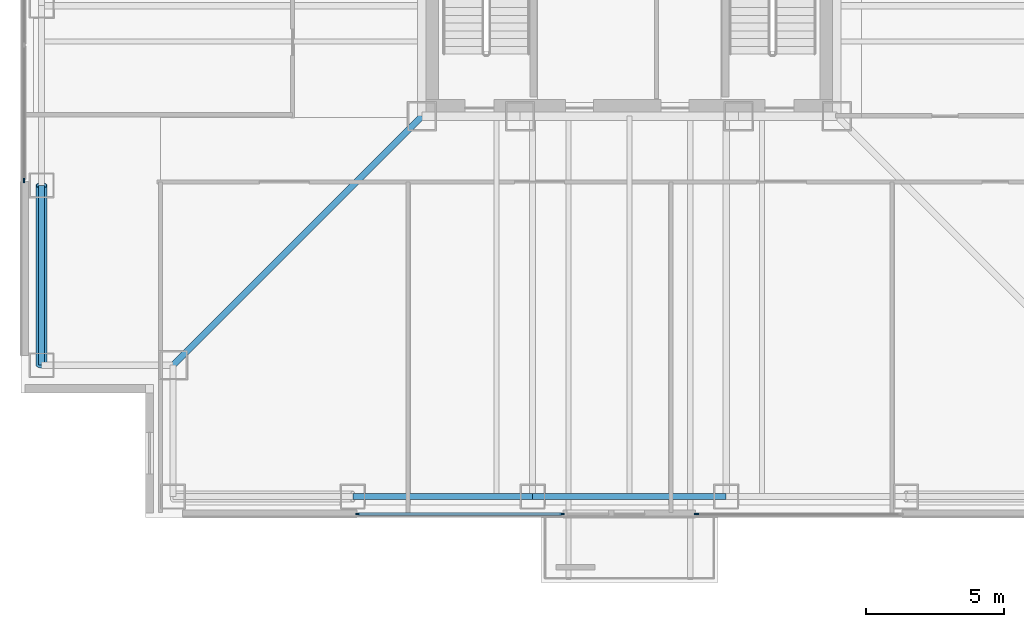
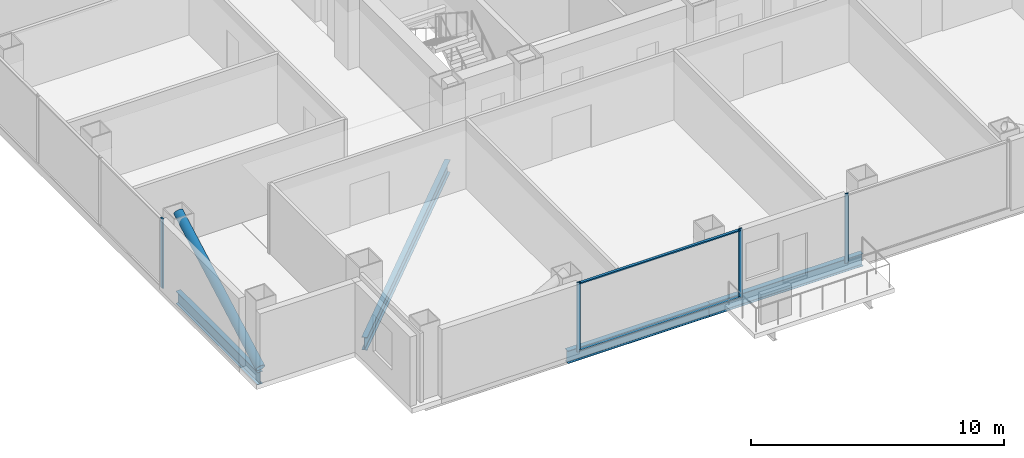
# One storey, part 2 of 14: 7 members, 4 beams, 3 elements without a shape of their own.
"""IFC4 building model written with IfcOpenShell, lengths in metres."""

from ifc_helpers import new_model, si_unit, direction, frame, origin, origin_2d, place, context, subcontext, project, spatial, rectangle, hollow_circle, i_section, extrude, material, layer, layer_set, material_profile, profile_set, type_object, element, aggregate, save


model = new_model("IFC4")

# Units and contexts
model_context = context("Model", 3, precision=1e-05, world=origin(), true_north=direction((0.0, 1.0)))
body_context = subcontext(model_context, "Body", "Model", "MODEL_VIEW")
ifc_project = project(units=[si_unit("LENGTHUNIT", "METRE"), si_unit("AREAUNIT", "SQUARE_METRE"), si_unit("VOLUMEUNIT", "CUBIC_METRE"), si_unit("PLANEANGLEUNIT", "RADIAN"), si_unit("MASSUNIT", "GRAM", prefix="KILO")], contexts=[model_context])

# Site, building, storey
site_placement = place(None, origin())
site = spatial("IfcSite", under=ifc_project, at=site_placement, CompositionType="ELEMENT")
building_placement = place(site_placement, origin())
building = spatial("IfcBuilding", under=site, at=building_placement, Name="Trevonay Congress Spire", CompositionType="ELEMENT")
storey_placement = place(building_placement, frame((0.0, 0.0, 133.60009765625)))
storey = spatial("IfcBuildingStorey", under=building, at=storey_placement, Name="L34", CompositionType="ELEMENT", Elevation=133.60009765625)

# Beams
ifc_material_1 = material(Name="Steel ASTM A572 Grade 50", Category="steel")
ifc_material_profile_1 = material_profile(ifc_material_1, i_section(OverallWidth=0.22998046875, OverallDepth=0.616943359375, WebThickness=0.01318359375, FlangeThickness=0.022216796875, FilletRadius=0.01611328125, at=origin_2d()), Name="W610x140")
ifc_profile_set_1 = profile_set([ifc_material_profile_1], Name="Steel ASTM A572 Grade 50")
beam_type_1 = type_object("IfcBeamType", Name="BM-GIRD-W610X140", PredefinedType="BEAM", material=ifc_profile_set_1)
beam_1_placement = place(storey_placement, frame((-7.5, -7.5, -0.548583984375), z_axis=(-0.707106781187, -0.707106781187, 0.0), x_axis=(0.707106781187, -0.707106781187, 0.0)))
element("IfcBeam", 1, at=beam_1_placement, inside=storey, type_object=beam_type_1, Name="L34 structural beam BM-L34-CDSW", PredefinedType="BEAM", context=body_context, shape_type="SweptSolid", body=[
    extrude(i_section(OverallWidth=0.22998046875, OverallDepth=0.616943359375, WebThickness=0.01318359375, FlangeThickness=0.022216796875, FilletRadius=0.01611328125, at=origin_2d()), origin(), (0.0, 0.0, 1.0), 12.72802734375),
])
ifc_material_profile_2 = material_profile(ifc_material_1, i_section(OverallWidth=0.22802734375, OverallDepth=0.60791015625, WebThickness=0.01123046875, FlangeThickness=0.017333984375, FilletRadius=0.01611328125, at=origin_2d()), Name="W610x113")
ifc_profile_set_2 = profile_set([ifc_material_profile_2], Name="Steel ASTM A572 Grade 50")
beam_type_2 = type_object("IfcBeamType", Name="BM-RING-W610X113", PredefinedType="BEAM", material=ifc_profile_set_2)
for number, where, z_axis, x_axis, name in (
    (2, (-21.25, -16.5, -0.544189453125), (0.0, 1.0, 0.0), (-1.0, 0.0, 0.0), "L34 structural beam BM-L34-PW1"),
    (3, (-10.0, -21.25, -0.544189453125), (1.0, 0.0, 0.0), (0.0, 1.0, 0.0), "L34 structural beam BM-L34-PS2"),
):
    element("IfcBeam", number, at=place(storey_placement, frame(where, z_axis=z_axis, x_axis=x_axis)), inside=storey, type_object=beam_type_2, Name=name, PredefinedType="BEAM", context=body_context, shape_type="SweptSolid", body=[
        extrude(i_section(OverallWidth=0.22802734375, OverallDepth=0.60791015625, WebThickness=0.01123046875, FlangeThickness=0.017333984375, FilletRadius=0.01611328125, at=origin_2d()), origin(), (0.0, 0.0, 1.0), 6.5),
    ])
beam_2_placement = place(storey_placement, frame((-3.5, -21.25, -0.544189453125), z_axis=(1.0, 0.0, 0.0), x_axis=(0.0, 1.0, 0.0)))
element("IfcBeam", 4, at=beam_2_placement, inside=storey, type_object=beam_type_2, Name="L34 structural beam BM-L34-PS3", PredefinedType="BEAM", context=body_context, shape_type="SweptSolid", body=[
    extrude(i_section(OverallWidth=0.22802734375, OverallDepth=0.60791015625, WebThickness=0.01123046875, FlangeThickness=0.017333984375, FilletRadius=0.01611328125, at=origin_2d()), origin(), (0.0, 0.0, 1.0), 7.0),
])

# Curtain wall, members
ifc_material_2 = material(Name="Pale Anodised Aluminium EN AW-6063-T6", Category="aluminium")
ifc_layer = layer(ifc_material_2, 0.175048828125, Name="Pale Anodised Aluminium EN AW-6063-T6")
ifc_layer_set = layer_set([ifc_layer], Name="Pale Anodised Aluminium EN AW-6063-T6")
curtain_wall_type = type_object("IfcCurtainWallType", Name="CW-SYS03-CONGRESS-PALE-METAL", PredefinedType="NOTDEFINED", material=ifc_layer_set)
curtain_wall_1_placement = place(storey_placement, origin())
curtain_wall_1 = element("IfcCurtainWall", 5, at=curtain_wall_1_placement, inside=storey, type_object=curtain_wall_type, Name="L34 SA unitised curtain wall", PredefinedType="NOTDEFINED")
ifc_material_profile_3 = material_profile(ifc_material_2, rectangle(XDim=0.06005859375, YDim=0.159912109375, at=origin_2d()), Name="CW-MULLION-160-ALUMINIUM")
ifc_profile_set_3 = profile_set([ifc_material_profile_3], Name="Pale Anodised Aluminium EN AW-6063-T6")
member_type_1 = type_object("IfcMemberType", Name="CW-MULLION-160-ALUMINIUM", PredefinedType="MULLION", material=ifc_profile_set_3)
member_1_placement = place(storey_placement, frame((-9.820068359375, -21.8798828125, 0.0), z_axis=(0.0, 0.0, 1.0), x_axis=(0.0, 1.0, 0.0)))
member_1 = element("IfcMember", 6, at=member_1_placement, type_object=member_type_1, Name="CW03 mullion 1", PredefinedType="MULLION", context=body_context, shape_type="SweptSolid", body=[
    extrude(rectangle(XDim=0.06005859375, YDim=0.159912109375, at=origin_2d()), origin(), (0.0, 0.0, 1.0), 3.35986328125),
])
member_2_placement = place(storey_placement, frame((-2.429931640625, -21.8798828125, 0.0), z_axis=(0.0, 0.0, 1.0), x_axis=(0.0, 1.0, 0.0)))
member_2 = element("IfcMember", 7, at=member_2_placement, type_object=member_type_1, Name="CW03 mullion 2", PredefinedType="MULLION", context=body_context, shape_type="SweptSolid", body=[
    extrude(rectangle(XDim=0.06005859375, YDim=0.159912109375, at=origin_2d()), origin(), (0.0, 0.0, 1.0), 3.35986328125),
])

# Curtain wall, member
curtain_wall_2_placement = place(storey_placement, origin())
curtain_wall_2 = element("IfcCurtainWall", 8, at=curtain_wall_2_placement, inside=storey, type_object=curtain_wall_type, Name="L34 SB unitised curtain wall", PredefinedType="NOTDEFINED")
member_3_placement = place(storey_placement, frame((2.429931640625, -21.8798828125, 0.0), z_axis=(0.0, 0.0, 1.0), x_axis=(0.0, 1.0, 0.0)))
member_3 = element("IfcMember", 9, at=member_3_placement, type_object=member_type_1, Name="CW03 mullion 1", PredefinedType="MULLION", context=body_context, shape_type="SweptSolid", body=[
    extrude(rectangle(XDim=0.06005859375, YDim=0.159912109375, at=origin_2d()), origin(), (0.0, 0.0, 1.0), 3.35986328125),
])
aggregate(curtain_wall_2, [member_3])

curtain_wall_3_placement = place(storey_placement, origin())
curtain_wall_3 = element("IfcCurtainWall", 10, at=curtain_wall_3_placement, inside=storey, type_object=curtain_wall_type, Name="L34 W unitised curtain wall", PredefinedType="NOTDEFINED")
member_4_placement = place(storey_placement, frame((-21.8798828125, -9.820068359375, 0.0), z_axis=(0.0, 0.0, 1.0), x_axis=(-1.0, 0.0, 0.0)))
member_4 = element("IfcMember", 11, at=member_4_placement, type_object=member_type_1, Name="CW03 mullion 1", PredefinedType="MULLION", context=body_context, shape_type="SweptSolid", body=[
    extrude(rectangle(XDim=0.06005859375, YDim=0.159912109375, at=origin_2d()), origin(), (0.0, 0.0, 1.0), 3.35986328125),
])
aggregate(curtain_wall_3, [member_4])

# Member
ifc_material_profile_4 = material_profile(ifc_material_2, rectangle(XDim=0.1201171875, YDim=0.06005859375, at=origin_2d()), Name="CW-TRANSOM-120-ALUMINIUM")
ifc_profile_set_4 = profile_set([ifc_material_profile_4], Name="Pale Anodised Aluminium EN AW-6063-T6")
member_type_2 = type_object("IfcMemberType", Name="CW-TRANSOM-120-ALUMINIUM", PredefinedType="USERDEFINED", material=ifc_profile_set_4)
member_5_placement = place(storey_placement, frame((-9.7900390625, -21.8798828125, 0.059814453125), z_axis=(1.0, 0.0, 0.0), x_axis=(0.0, 1.0, 0.0)))
member_5 = element("IfcMember", 12, at=member_5_placement, type_object=member_type_2, Name="CW03 transom 1.1", ObjectType="TRANSOM", PredefinedType="USERDEFINED", context=body_context, shape_type="SweptSolid", body=[
    extrude(rectangle(XDim=0.1201171875, YDim=0.06005859375, at=origin_2d()), origin(), (0.0, 0.0, 1.0), 7.330078125),
])

member_6_placement = place(storey_placement, frame((-9.7900390625, -21.8798828125, 3.2998046875), z_axis=(1.0, 0.0, 0.0), x_axis=(0.0, 1.0, 0.0)))
member_6 = element("IfcMember", 13, at=member_6_placement, type_object=member_type_2, Name="CW03 transom 1.2", ObjectType="TRANSOM", PredefinedType="USERDEFINED", context=body_context, shape_type="SweptSolid", body=[
    extrude(rectangle(XDim=0.1201171875, YDim=0.06005859375, at=origin_2d()), origin(), (0.0, 0.0, 1.0), 7.330078125),
])

aggregate(curtain_wall_1, [member_1, member_2, member_5, member_6])

ifc_material_3 = material(Name="Steel ASTM A500 Grade C", Category="steel")
ifc_material_profile_5 = material_profile(ifc_material_3, hollow_circle(Radius=0.203125, WallThickness=0.02001953125, at=origin_2d()), Name="CHS 406.4x20")
ifc_profile_set_5 = profile_set([ifc_material_profile_5], Name="Steel ASTM A500 Grade C")
member_type_3 = type_object("IfcMemberType", Name="MBR-TUBE-CHS406", PredefinedType="BRACE", material=ifc_profile_set_5)
member_7_placement = place(storey_placement, frame((-21.25, -16.5, -0.050048828125), z_axis=(0.0, 0.874799711691, 0.484484741169), x_axis=(-1.0, 0.0, 0.0)))
element("IfcMember", 14, at=member_7_placement, inside=storey, type_object=member_type_3, Name="L34 perimeter braced-tube diagonal W0", PredefinedType="BRACE", context=body_context, shape_type="SweptSolid", body=[
    extrude(hollow_circle(Radius=0.203125, WallThickness=0.02001953125, at=origin_2d()), origin(), (0.0, 0.0, 1.0), 7.43017578125),
])

save(model, "model.ifc")
